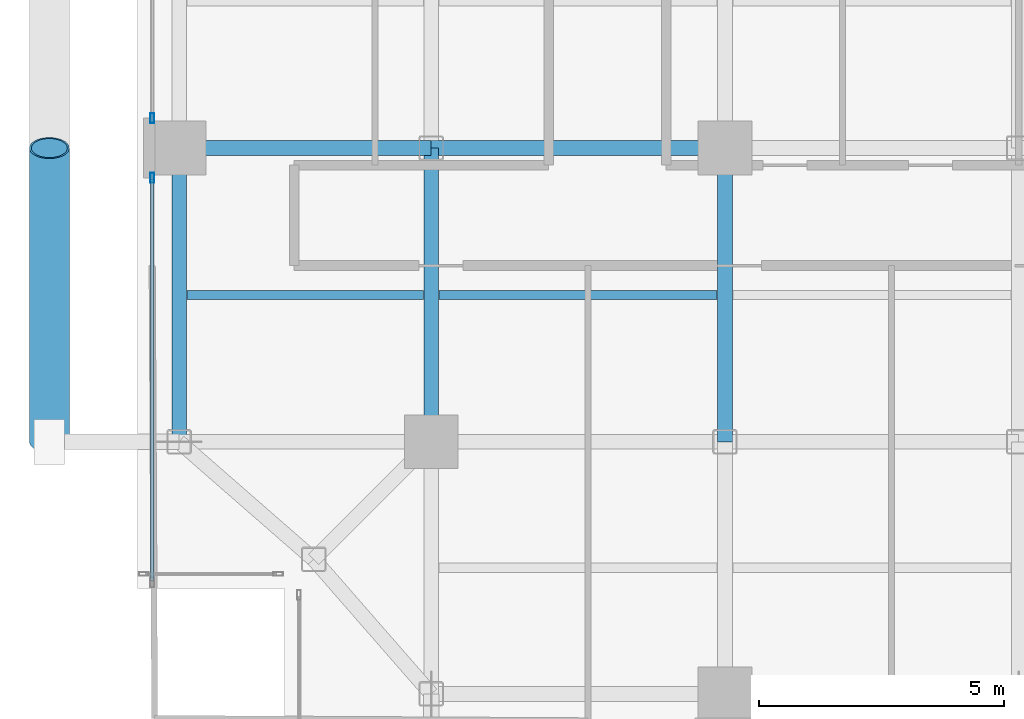
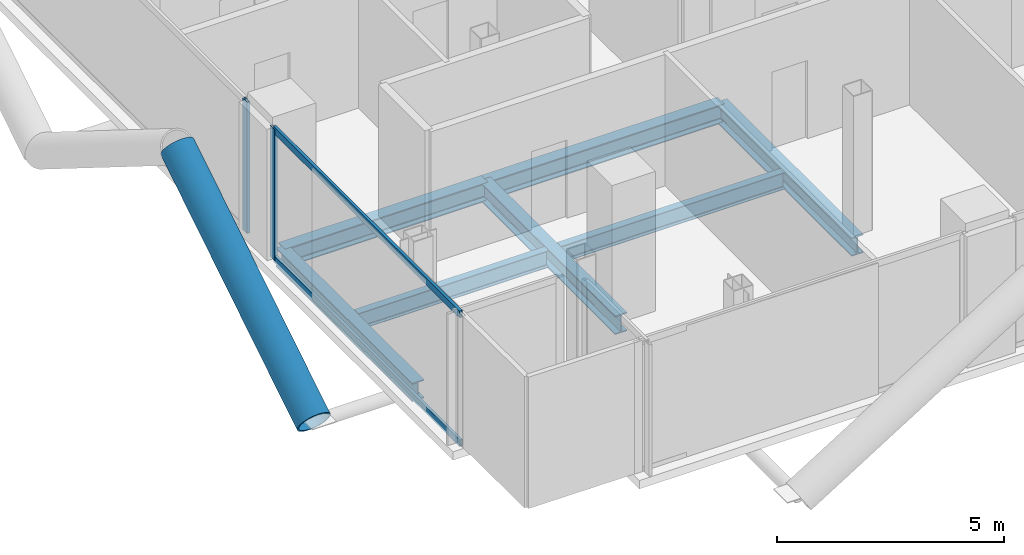
# One storey, part 3 of 28: 7 beams, 5 members, 2 elements without a shape of their own.
"""IFC4 building model written with IfcOpenShell, lengths in metres."""

from ifc_helpers import new_model, si_unit, direction, frame, origin, origin_2d, place, context, subcontext, project, spatial, hollow_rectangle, hollow_circle, i_section, extrude, material, layer, layer_set, material_profile, profile_set, type_object, element, aggregate, save


model = new_model("IFC4")

# Units and contexts
model_context = context("Model", 3, precision=1e-05, world=origin(), true_north=direction((0.0, 1.0)))
body_context = subcontext(model_context, "Body", "Model", "MODEL_VIEW")
ifc_project = project(units=[si_unit("LENGTHUNIT", "METRE"), si_unit("AREAUNIT", "SQUARE_METRE"), si_unit("VOLUMEUNIT", "CUBIC_METRE"), si_unit("PLANEANGLEUNIT", "RADIAN"), si_unit("MASSUNIT", "GRAM", prefix="KILO"), si_unit("THERMODYNAMICTEMPERATUREUNIT", "KELVIN"), si_unit("POWERUNIT", "WATT")], contexts=[model_context])

# Site, building, storey
site_placement = place(None, origin())
site = spatial("IfcSite", under=ifc_project, at=site_placement, CompositionType="ELEMENT")
building_placement = place(site_placement, origin())
building = spatial("IfcBuilding", under=site, at=building_placement, Name="Svarakhadi Broadcast Tower", CompositionType="ELEMENT")
storey_placement = place(building_placement, frame((0.0, 0.0, 149.39990234375)))
storey = spatial("IfcBuildingStorey", under=building, at=storey_placement, Name="L36", CompositionType="ELEMENT", Elevation=149.39990234375)

# Beams
ifc_material_1 = material(Name="Steel S355J2 (IS 2062 E350C)", Category="steel")
ifc_material_profile_1 = material_profile(ifc_material_1, i_section(OverallWidth=0.18994140625, OverallDepth=0.449951171875, WebThickness=0.009521484375, FlangeThickness=0.0146484375, FilletRadius=0.02099609375, at=origin_2d()), Name="NPB 450x190x78")
ifc_profile_set_1 = profile_set([ifc_material_profile_1], Name="Steel S355J2 (IS 2062 E350C)")
beam_type_1 = type_object("IfcBeamType", Name="Beam_NPB450", PredefinedType="BEAM", material=ifc_profile_set_1)
beam_1_placement = place(storey_placement, frame((1.010009765625, 9.0, -0.449951171875), z_axis=(1.0, 0.0, 0.0), x_axis=(0.0, 1.0, 0.0)))
element("IfcBeam", 1, at=beam_1_placement, inside=storey, type_object=beam_type_1, Name="L36 Secondary Composite Beam SB001", PredefinedType="BEAM", context=body_context, shape_type="SweptSolid", body=[
    extrude(i_section(OverallWidth=0.18994140625, OverallDepth=0.449951171875, WebThickness=0.009521484375, FlangeThickness=0.0146484375, FilletRadius=0.02099609375, at=origin_2d()), origin(), (0.0, 0.0, 1.0), 4.830078125),
])
beam_2_placement = place(storey_placement, frame((6.159912109375, 9.0, -0.449951171875), z_axis=(1.0, 0.0, 0.0), x_axis=(0.0, 1.0, 0.0)))
element("IfcBeam", 2, at=beam_2_placement, inside=storey, type_object=beam_type_1, Name="L36 Secondary Composite Beam SB007", PredefinedType="BEAM", context=body_context, shape_type="SweptSolid", body=[
    extrude(i_section(OverallWidth=0.18994140625, OverallDepth=0.449951171875, WebThickness=0.009521484375, FlangeThickness=0.0146484375, FilletRadius=0.02099609375, at=origin_2d()), origin(), (0.0, 0.0, 1.0), 5.68017578125),
])

# Curtain wall, member
ifc_material_2 = material(Name="Anodised Bronze Aluminium AA 6063-T6", Category="aluminium")
ifc_layer = layer(ifc_material_2, 0.199951171875)
ifc_layer_set = layer_set([ifc_layer], Name="Anodised Bronze Aluminium AA 6063-T6")
curtain_wall_type = type_object("IfcCurtainWallType", Name="CW_Sys_03", PredefinedType="NOTDEFINED", material=ifc_layer_set)
curtain_wall_1_placement = place(storey_placement, origin())
curtain_wall_1 = element("IfcCurtainWall", 3, at=curtain_wall_1_placement, inside=storey, type_object=curtain_wall_type, Name="L36 West Curtain Wall 02 Bay 1", PredefinedType="NOTDEFINED")
ifc_material_profile_2 = material_profile(ifc_material_2, hollow_rectangle(XDim=0.074951171875, YDim=0.199951171875, WallThickness=0.005615234375, at=origin_2d()), Name="ALU MULLION 200x75x6")
ifc_profile_set_2 = profile_set([ifc_material_profile_2], Name="Anodised Bronze Aluminium AA 6063-T6")
member_type_1 = type_object("IfcMemberType", Name="CW_Sys_03_Mul", PredefinedType="MULLION", material=ifc_profile_set_2)
member_1_placement = place(storey_placement, frame((0.300048828125, 11.392578125, 0.0), z_axis=(0.0, 0.0, 1.0), x_axis=(-1.0, 0.0, 0.0)))
member_1 = element("IfcMember", 4, at=member_1_placement, type_object=member_type_1, Name="CW-03 mullion 2", PredefinedType="MULLION", context=body_context, shape_type="SweptSolid", body=[
    extrude(hollow_rectangle(XDim=0.074951171875, YDim=0.199951171875, WallThickness=0.005615234375, at=origin_2d()), origin(), (0.0, 0.0, 1.0), 3.525146484375),
])

curtain_wall_2_placement = place(storey_placement, origin())
curtain_wall_2 = element("IfcCurtainWall", 5, at=curtain_wall_2_placement, inside=storey, type_object=curtain_wall_type, Name="L36 West Curtain Wall 02 Bay 2", PredefinedType="NOTDEFINED")
member_2_placement = place(storey_placement, frame((0.300048828125, 12.607421875, 0.0), z_axis=(0.0, 0.0, 1.0), x_axis=(-1.0, 0.0, 0.0)))
member_2 = element("IfcMember", 6, at=member_2_placement, type_object=member_type_1, Name="CW-03 mullion 1", PredefinedType="MULLION", context=body_context, shape_type="SweptSolid", body=[
    extrude(hollow_rectangle(XDim=0.074951171875, YDim=0.199951171875, WallThickness=0.005615234375, at=origin_2d()), origin(), (0.0, 0.0, 1.0), 3.525146484375),
])
aggregate(curtain_wall_2, [member_2])

# Member
ifc_material_profile_3 = material_profile(ifc_material_2, hollow_rectangle(XDim=0.070068359375, YDim=0.18505859375, WallThickness=0.0048828125, at=origin_2d()), Name="ALU TRANSOM 185x70x5")
ifc_profile_set_3 = profile_set([ifc_material_profile_3], Name="Anodised Bronze Aluminium AA 6063-T6")
member_type_2 = type_object("IfcMemberType", Name="CW_Sys_03_Trn", PredefinedType="USERDEFINED", material=ifc_profile_set_3)
member_3_placement = place(storey_placement, frame((0.300048828125, 3.1650390625, 0.03515625), z_axis=(0.0, 1.0, 0.0), x_axis=(-1.0, 0.0, 0.0)))
member_3 = element("IfcMember", 7, at=member_3_placement, type_object=member_type_2, Name="CW-03 transom 1.1", ObjectType="TRANSOM", PredefinedType="USERDEFINED", context=body_context, shape_type="SweptSolid", body=[
    extrude(hollow_rectangle(XDim=0.070068359375, YDim=0.18505859375, WallThickness=0.0048828125, at=origin_2d()), origin(), (0.0, 0.0, 1.0), 8.18994140625),
])

member_4_placement = place(storey_placement, frame((0.300048828125, 3.1650390625, 3.489990234375), z_axis=(0.0, 1.0, 0.0), x_axis=(-1.0, 0.0, 0.0)))
member_4 = element("IfcMember", 8, at=member_4_placement, type_object=member_type_2, Name="CW-03 transom 1.2", ObjectType="TRANSOM", PredefinedType="USERDEFINED", context=body_context, shape_type="SweptSolid", body=[
    extrude(hollow_rectangle(XDim=0.070068359375, YDim=0.18505859375, WallThickness=0.0048828125, at=origin_2d()), origin(), (0.0, 0.0, 1.0), 8.18994140625),
])

aggregate(curtain_wall_1, [member_1, member_3, member_4])

ifc_material_3 = material(Name="Steel S460ML (IS 2062 E450BR)", Category="steel")
ifc_material_profile_4 = material_profile(ifc_material_3, hollow_circle(Radius=0.406494140625, WallThickness=0.0400390625, at=origin_2d()), Name="CHS 813x40")
ifc_profile_set_4 = profile_set([ifc_material_profile_4], Name="Steel S460ML (IS 2062 E450BR)")
member_type_3 = type_object("IfcMemberType", Name="Exo_Brace_CHS813", PredefinedType="BRACE", material=ifc_profile_set_4)
member_5_placement = place(storey_placement, frame((-1.800048828125, 6.0, -0.386962890625), z_axis=(0.0, 0.847998304005, 0.529998940003), x_axis=(-1.0, 0.0, 0.0)))
element("IfcMember", 9, at=member_5_placement, inside=storey, type_object=member_type_3, Name="L36 Exposed Bronze Exoskeleton Diagonal W05", PredefinedType="BRACE", context=body_context, shape_type="SweptSolid", body=[
    extrude(hollow_circle(Radius=0.406494140625, WallThickness=0.0400390625, at=origin_2d()), origin(), (0.0, 0.0, 1.0), 7.075439453125),
])

# Beams
ifc_material_profile_5 = material_profile(ifc_material_1, i_section(OverallWidth=0.300048828125, OverallDepth=0.5, WebThickness=0.014404296875, FlangeThickness=0.028076171875, FilletRadius=0.027099609375, at=origin_2d()), Name="WPB 500x300x187")
ifc_profile_set_5 = profile_set([ifc_material_profile_5], Name="Steel S355J2 (IS 2062 E350C)")
beam_type_2 = type_object("IfcBeamType", Name="Girder_WPB500", PredefinedType="USERDEFINED", material=ifc_profile_set_5)
beam_3_placement = place(storey_placement, frame((0.85009765625, 12.0, -0.474853515625), z_axis=(1.0, 0.0, 0.0), x_axis=(0.0, 1.0, 0.0)))
element("IfcBeam", 10, at=beam_3_placement, inside=storey, type_object=beam_type_2, Name="L36 Primary E-W Girder G017", ObjectType="GIRDER", PredefinedType="USERDEFINED", context=body_context, shape_type="SweptSolid", body=[
    extrude(i_section(OverallWidth=0.300048828125, OverallDepth=0.5, WebThickness=0.014404296875, FlangeThickness=0.028076171875, FilletRadius=0.027099609375, at=origin_2d()), origin(), (0.0, 0.0, 1.0), 5.14990234375),
])
for number, where, z_axis, x_axis, name in (
    (11, (6.0, 12.0, -0.474853515625), (1.0, 0.0, 0.0), (0.0, 1.0, 0.0), "L36 Primary E-W Girder G018"),
    (12, (0.85009765625, 6.0, -0.474853515625), (0.0, 1.0, 0.0), (-1.0, 0.0, 0.0), "L36 Primary N-S Girder G040"),
    (13, (6.0, 6.0, -0.474853515625), (0.0, 1.0, 0.0), (-1.0, 0.0, 0.0), "L36 Primary N-S Girder G046"),
    (14, (12.0, 6.0, -0.474853515625), (0.0, 1.0, 0.0), (-1.0, 0.0, 0.0), "L36 Primary N-S Girder G052"),
):
    element("IfcBeam", number, at=place(storey_placement, frame(where, z_axis=z_axis, x_axis=x_axis)), inside=storey, type_object=beam_type_2, Name=name, ObjectType="GIRDER", PredefinedType="USERDEFINED", context=body_context, shape_type="SweptSolid", body=[
        extrude(i_section(OverallWidth=0.300048828125, OverallDepth=0.5, WebThickness=0.014404296875, FlangeThickness=0.028076171875, FilletRadius=0.027099609375, at=origin_2d()), origin(), (0.0, 0.0, 1.0), 6.0),
    ])

save(model, "model.ifc")
